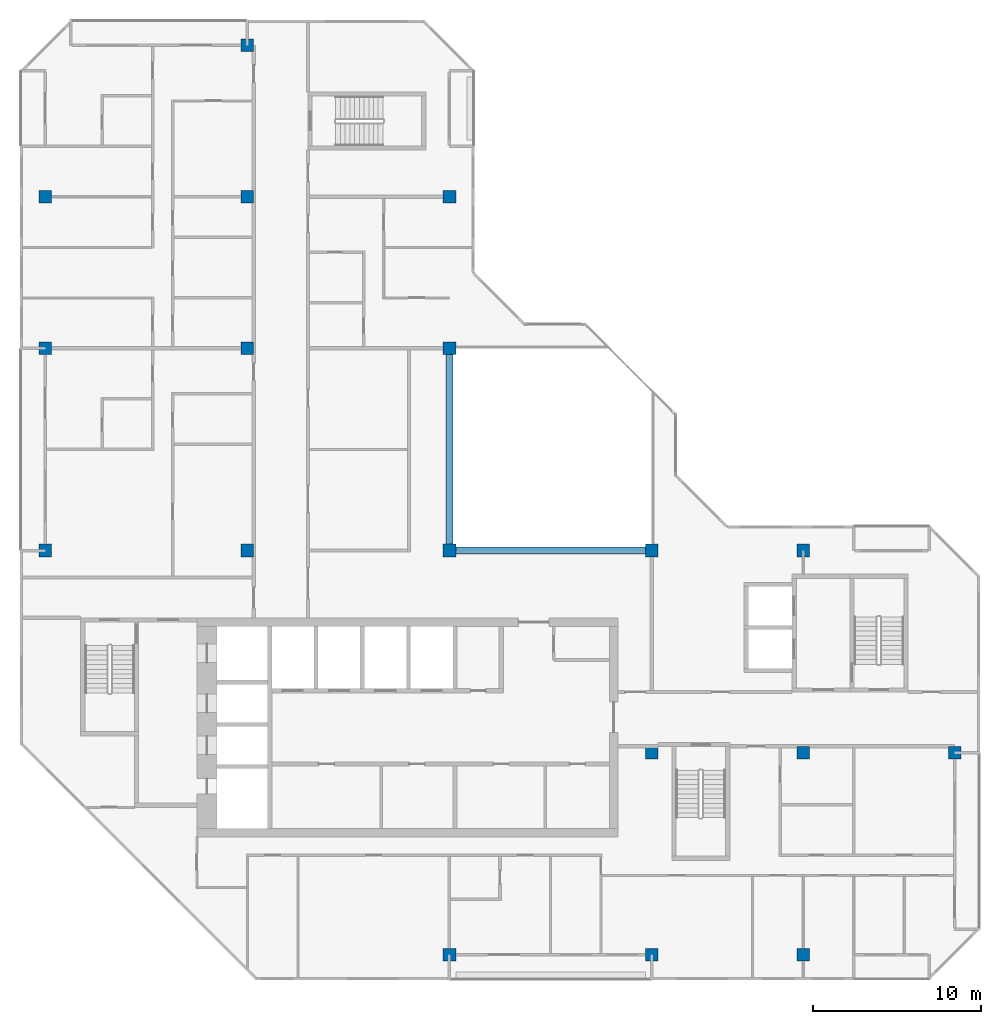
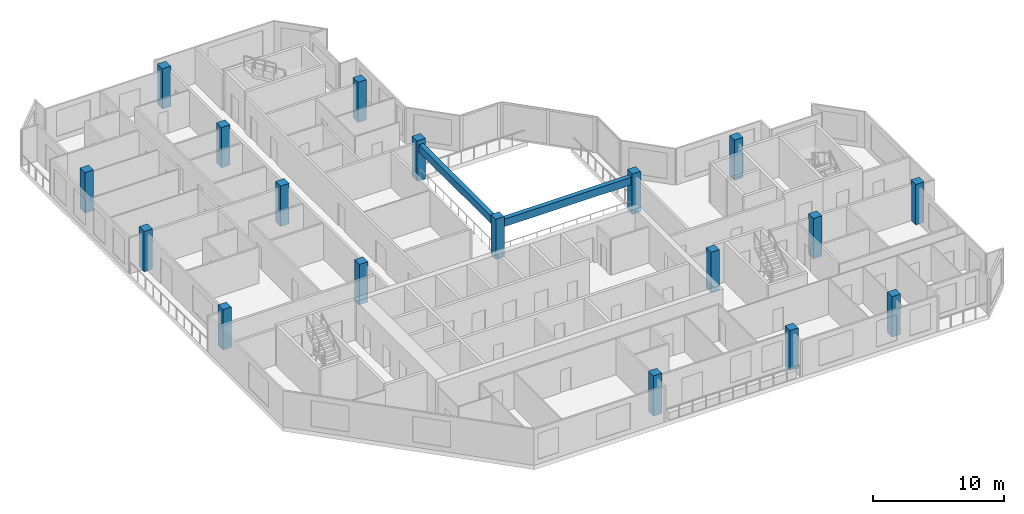
# One storey, part 1 of 12: 18 columns, 2 beams.
"""IFC4 building model written with IfcOpenShell, lengths in metres."""

from ifc_helpers import new_model, si_unit, direction, frame, origin, origin_2d, place, context, subcontext, project, spatial, rectangle, extrude, material, material_profile, profile_set, type_object, element, save


model = new_model("IFC4")

# Units and contexts
model_context = context("Model", 3, precision=1e-05, world=origin(), true_north=direction((0.0, 1.0)))
body_context = subcontext(model_context, "Body", "Model", "MODEL_VIEW")
ifc_project = project(units=[si_unit("LENGTHUNIT", "METRE"), si_unit("AREAUNIT", "SQUARE_METRE"), si_unit("VOLUMEUNIT", "CUBIC_METRE"), si_unit("PLANEANGLEUNIT", "RADIAN"), si_unit("MASSUNIT", "GRAM", prefix="KILO")], contexts=[model_context])

# Site, building, storey
site_placement = place(None, origin())
site = spatial("IfcSite", under=ifc_project, at=site_placement, CompositionType="ELEMENT")
building_placement = place(site_placement, origin())
building = spatial("IfcBuilding", under=site, at=building_placement, Name="Chenar Terraces", CompositionType="ELEMENT")
storey_placement = place(building_placement, frame((0.0, 0.0, 342.64990234375)))
storey = spatial("IfcBuildingStorey", under=building, at=storey_placement, Name="L79", CompositionType="ELEMENT", Elevation=342.64990234375)

# Columns
ifc_material_1 = material(Name="Concrete C50/60", Category="concrete")
ifc_material_profile_1 = material_profile(ifc_material_1, rectangle(XDim=0.75, YDim=0.75, at=origin_2d()), Name="C 750 x 750")
ifc_profile_set_1 = profile_set([ifc_material_profile_1], Name="Concrete C50/60")
column_type = type_object("IfcColumnType", Name="Column C 750 x 750 Concrete C50/60", PredefinedType="COLUMN", material=ifc_profile_set_1)
column_1_placement = place(storey_placement, frame((0.0, 24.0, 0.0), z_axis=(0.0, 0.0, 1.0), x_axis=(1.0, 0.0, 0.0)))
element("IfcColumn", 1, at=column_1_placement, inside=storey, type_object=column_type, Name="Column 5/G L79", PredefinedType="COLUMN", context=body_context, shape_type="SweptSolid", body=[
    extrude(rectangle(XDim=0.75, YDim=0.75, at=origin_2d()), origin(), (0.0, 0.0, 1.0), 3.75),
])
column_2_placement = place(storey_placement, frame((0.0, 36.0, 0.0), z_axis=(0.0, 0.0, 1.0), x_axis=(1.0, 0.0, 0.0)))
element("IfcColumn", 2, at=column_2_placement, inside=storey, type_object=column_type, Name="Column 5/H L79", PredefinedType="COLUMN", context=body_context, shape_type="SweptSolid", body=[
    extrude(rectangle(XDim=0.75, YDim=0.75, at=origin_2d()), origin(), (0.0, 0.0, 1.0), 3.75),
])
column_3_placement = place(storey_placement, frame((0.0, 45.0, 0.0), z_axis=(0.0, 0.0, 1.0), x_axis=(1.0, 0.0, 0.0)))
element("IfcColumn", 3, at=column_3_placement, inside=storey, type_object=column_type, Name="Column 5/J L79", PredefinedType="COLUMN", context=body_context, shape_type="SweptSolid", body=[
    extrude(rectangle(XDim=0.75, YDim=0.75, at=origin_2d()), origin(), (0.0, 0.0, 1.0), 3.75),
])
for number, where, z_axis, x_axis, name in (
    (4, (12.0, 24.0, 0.0), (0.0, 0.0, 1.0), (1.0, 0.0, 0.0), "Column 6/G L79"),
    (5, (12.0, 36.0, 0.0), (0.0, 0.0, 1.0), (1.0, 0.0, 0.0), "Column 6/H L79"),
    (6, (12.0, 45.0, 0.0), (0.0, 0.0, 1.0), (1.0, 0.0, 0.0), "Column 6/J L79"),
    (7, (12.0, 54.0, 0.0), (0.0, 0.0, 1.0), (1.0, 0.0, 0.0), "Column 6/K L79"),
    (8, (24.0, 0.0, 0.0), (0.0, 0.0, 1.0), (1.0, 0.0, 0.0), "Column 7/E L79"),
    (9, (24.0, 24.0, 0.0), (0.0, 0.0, 1.0), (1.0, 0.0, 0.0), "Column 7/G L79"),
    (10, (24.0, 36.0, 0.0), (0.0, 0.0, 1.0), (1.0, 0.0, 0.0), "Column 7/H L79"),
    (11, (24.0, 45.0, 0.0), (0.0, 0.0, 1.0), (1.0, 0.0, 0.0), "Column 7/J L79"),
    (12, (36.0, 0.0, 0.0), (0.0, 0.0, 1.0), (1.0, 0.0, 0.0), "Column 8/E L79"),
    (13, (36.0, 12.0, 0.0), (0.0, 0.0, 1.0), (1.0, 0.0, 0.0), "Column 8/F L79"),
    (14, (36.0, 24.0, 0.0), (0.0, 0.0, 1.0), (1.0, 0.0, 0.0), "Column 8/G L79"),
    (15, (45.0, 0.0, 0.0), (0.0, 0.0, 1.0), (1.0, 0.0, 0.0), "Column 9/E L79"),
    (16, (45.0, 12.0, 0.0), (0.0, 0.0, 1.0), (1.0, 0.0, 0.0), "Column 9/F L79"),
    (17, (45.0, 24.0, 0.0), (0.0, 0.0, 1.0), (1.0, 0.0, 0.0), "Column 9/G L79"),
    (18, (54.0, 12.0, 0.0), (0.0, 0.0, 1.0), (1.0, 0.0, 0.0), "Column 10/F L79"),
):
    element("IfcColumn", number, at=place(storey_placement, frame(where, z_axis=z_axis, x_axis=x_axis)), inside=storey, type_object=column_type, Name=name, PredefinedType="COLUMN", context=body_context, shape_type="SweptSolid", body=[
        extrude(rectangle(XDim=0.75, YDim=0.75, at=origin_2d()), origin(), (0.0, 0.0, 1.0), 3.75),
    ])

# Beams
ifc_material_2 = material(Name="Concrete C40/50", Category="concrete")
ifc_material_profile_2 = material_profile(ifc_material_2, rectangle(XDim=0.39990234375, YDim=0.699951171875, at=origin_2d()), Name="RC 400 x 700")
ifc_profile_set_2 = profile_set([ifc_material_profile_2], Name="Concrete C40/50")
beam_type = type_object("IfcBeamType", Name="Atrium edge beam 400 x 700 Concrete C40/50", PredefinedType="BEAM", material=ifc_profile_set_2)
for number, where, z_axis, x_axis, name in (
    (19, (24.375, 24.0, 3.0), (1.0, 0.0, 0.0), (0.0, 1.0, 0.0), "Atrium edge beam L80 1"),
    (20, (24.0, 35.625, 3.0), (0.0, -1.0, 0.0), (1.0, 0.0, 0.0), "Atrium edge beam L80 4"),
):
    element("IfcBeam", number, at=place(storey_placement, frame(where, z_axis=z_axis, x_axis=x_axis)), inside=storey, type_object=beam_type, Name=name, PredefinedType="BEAM", context=body_context, shape_type="SweptSolid", body=[
        extrude(rectangle(XDim=0.39990234375, YDim=0.699951171875, at=origin_2d()), origin(), (0.0, 0.0, 1.0), 11.25),
    ])

save(model, "model.ifc")
